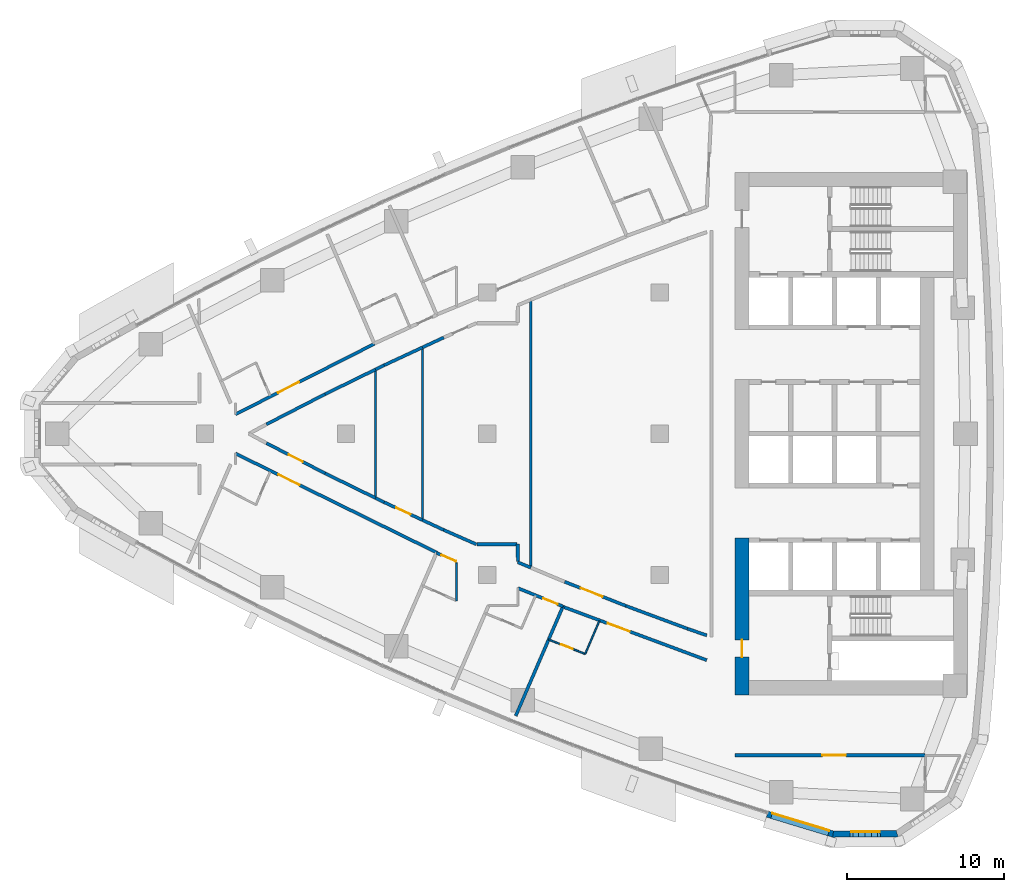
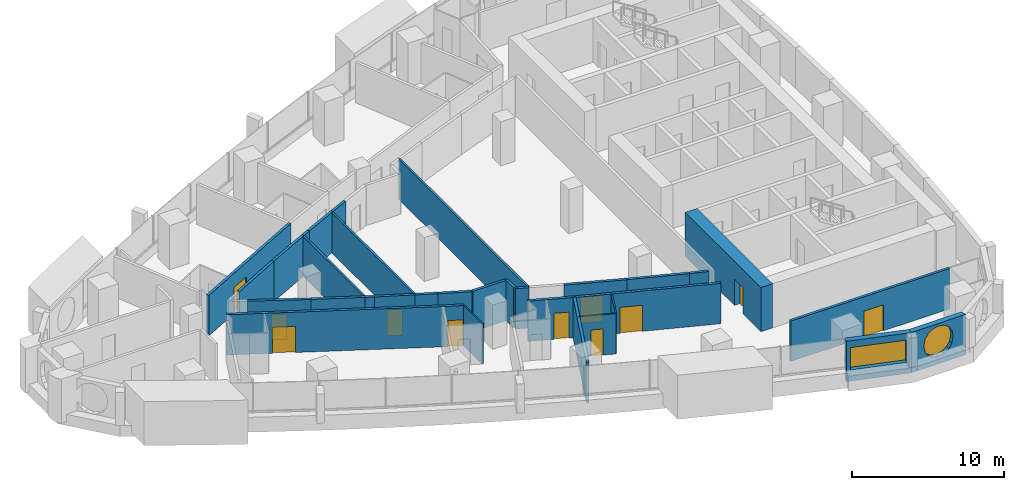
# One storey, part 9 of 16: 33 walls, 11 doors, 2 windows, 13 openings.
"""IFC4 building model written with IfcOpenShell, lengths in metres."""

from ifc_helpers import new_model, si_unit, direction, frame, frame_2d, origin, place, context, subcontext, project, spatial, polyline, rectangle, outline, extrude, material, layer, layer_set, type_object, element, fill, save


model = new_model("IFC4")

# Units and contexts
model_context = context("Model", 3, precision=1e-05, world=origin(), true_north=direction((0.0, 1.0)))
body_context = subcontext(model_context, "Body", "Model", "MODEL_VIEW")
ifc_project = project(units=[si_unit("LENGTHUNIT", "METRE"), si_unit("AREAUNIT", "SQUARE_METRE"), si_unit("VOLUMEUNIT", "CUBIC_METRE"), si_unit("PLANEANGLEUNIT", "RADIAN"), si_unit("MASSUNIT", "GRAM", prefix="KILO")], contexts=[model_context])

# Site, building, storey
site_placement = place(None, origin())
site = spatial("IfcSite", under=ifc_project, at=site_placement, CompositionType="ELEMENT")
building_placement = place(site_placement, origin())
building = spatial("IfcBuilding", under=site, at=building_placement, Name="Ostrand Prow Hotel Tower", CompositionType="ELEMENT")
storey_placement = place(building_placement, frame((0.0, 0.0, 147.949951171875)))
storey = spatial("IfcBuildingStorey", under=building, at=storey_placement, Name="L36", CompositionType="ELEMENT", Elevation=147.949951171875)

# Wall, opening, door
ifc_material_1 = material(Name="Concrete C70/85", Category="concrete")
ifc_layer_1 = layer(ifc_material_1, 0.89990234375)
ifc_layer_set_1 = layer_set([ifc_layer_1], Name="Concrete C70/85")
wall_type_1 = type_object("IfcWallType", Name="Core wall 900 C70/85", PredefinedType="SHEAR", material=ifc_layer_set_1)
wall_1_placement = place(storey_placement, frame((50.25, -16.64990234375, 0.0), z_axis=(0.0, 0.0, 1.0), x_axis=(0.0, 1.0, 0.0)))
wall_1 = element("IfcWall", 1, at=wall_1_placement, inside=storey, type_object=wall_type_1, Name="Core wall CW-W-S", PredefinedType="SHEAR", context=body_context, shape_type="SweptSolid", body=[
    extrude(rectangle(XDim=10.0, YDim=0.89990234375, at=frame_2d((5.0, 0.0))), origin(), (0.0, 0.0, 1.0), 3.550048828125),
])
opening_1_placement = place(wall_1_placement, frame((2.39990234375, 0.0, 0.0)))
opening_1 = element("IfcOpeningElement", 2, at=opening_1_placement, cuts=wall_1, Name="Opening FD1", PredefinedType="OPENING", context=body_context, shape_type="SweptSolid", body=[
    extrude(rectangle(XDim=1.10009765625, YDim=2.10009765625, at=frame_2d((0.550048828125, 1.050048828125))), frame((0.0, 0.4599609375, 0.0), z_axis=(0.0, -1.0, 0.0), x_axis=(1.0, 0.0, 0.0)), (0.0, 0.0, 1.0), 0.919921875),
])
ifc_material_2 = material(Name="Steel fire door", Category="steel")
door_type_1 = type_object("IfcDoorType", Name="Fire door 1100 EI120", OperationType="SINGLE_SWING_RIGHT", PredefinedType="DOOR", material=ifc_material_2)
door_1_placement = place(opening_1_placement, origin())
door_1 = element("IfcDoor", 3, at=door_1_placement, inside=storey, type_object=door_type_1, Name="FIRE DOOR", OperationType="SINGLE_SWING_RIGHT", OverallHeight=2.10009765625, OverallWidth=1.10009765625, PredefinedType="DOOR", context=body_context, shape_type="SweptSolid", body=[
    extrude(rectangle(XDim=1.10009765625, YDim=2.10009765625, at=frame_2d((0.550048828125, 1.050048828125))), frame((0.0, 0.02490234375, 0.0), z_axis=(0.0, -1.0, 0.0), x_axis=(1.0, 0.0, 0.0)), (0.0, 0.0, 1.0), 0.050048828125),
])
fill(opening_1, door_1)

# Wall
ifc_material_3 = material(Name="Plasterboard partition")
ifc_layer_2 = layer(ifc_material_3, 0.10009765625)
ifc_layer_set_2 = layer_set([ifc_layer_2], Name="Plasterboard partition")
wall_type_2 = type_object("IfcWallType", Name="Partition 100 bathroom wall", PredefinedType="PARTITIONING", material=ifc_layer_set_2)
wall_2_placement = place(storey_placement, frame((41.15087890625, -11.946044921875, 0.0), z_axis=(0.0, 0.0, 1.0), x_axis=(-0.39596178423, -0.918266990275, 0.0)))
element("IfcWall", 4, at=wall_2_placement, inside=storey, type_object=wall_type_2, Name="BATHROOM WALL", PredefinedType="PARTITIONING", context=body_context, shape_type="SweptSolid", body=[
    extrude(rectangle(XDim=2.2783203125, YDim=0.10009765625, at=frame_2d((1.13916015625, 0.0))), origin(), (0.0, 0.0, 1.0), 3.25),
])

# Wall, opening, door
wall_3_placement = place(storey_placement, frame((40.24853515625, -14.0380859375, 0.0), z_axis=(0.0, 0.0, 1.0), x_axis=(-0.930555592459, 0.366150637503, 0.0)))
wall_3 = element("IfcWall", 5, at=wall_3_placement, inside=storey, type_object=wall_type_2, Name="BATHROOM WALL", PredefinedType="PARTITIONING", context=body_context, shape_type="SweptSolid", body=[
    extrude(rectangle(XDim=2.5009765625, YDim=0.10009765625, at=frame_2d((1.25048828125, 0.0))), origin(), (0.0, 0.0, 1.0), 3.25),
])
opening_2_placement = place(wall_3_placement, frame((0.85009765625, 0.0, 0.0)))
opening_2 = element("IfcOpeningElement", 6, at=opening_2_placement, cuts=wall_3, Name="Opening D2", PredefinedType="OPENING", context=body_context, shape_type="SweptSolid", body=[
    extrude(rectangle(XDim=0.800048828125, YDim=2.10009765625, at=frame_2d((0.39990234375, 1.050048828125))), frame((0.0, 0.06005859375, 0.0), z_axis=(0.0, -1.0, 0.0), x_axis=(1.0, 0.0, 0.0)), (0.0, 0.0, 1.0), 0.1201171875),
])
ifc_material_4 = material(Name="Timber door leaf", Category="wood")
door_type_2 = type_object("IfcDoorType", Name="Bathroom door 800", OperationType="SINGLE_SWING_LEFT", PredefinedType="DOOR", material=ifc_material_4)
door_2_placement = place(opening_2_placement, origin())
door_2 = element("IfcDoor", 7, at=door_2_placement, inside=storey, type_object=door_type_2, Name="DOOR", OperationType="SINGLE_SWING_LEFT", OverallHeight=2.10009765625, OverallWidth=0.800048828125, PredefinedType="DOOR", context=body_context, shape_type="SweptSolid", body=[
    extrude(rectangle(XDim=0.800048828125, YDim=2.10009765625, at=frame_2d((0.39990234375, 1.050048828125))), frame((0.0, 0.02490234375, 0.0), z_axis=(0.0, -1.0, 0.0), x_axis=(1.0, 0.0, 0.0)), (0.0, 0.0, 1.0), 0.050048828125),
])
fill(opening_2, door_2)

# Walls
wall_4_placement = place(storey_placement, frame((32.044921875, -8.238037109375, 0.0), z_axis=(0.0, 0.0, 1.0), x_axis=(0.0, -1.0, 0.0)))
element("IfcWall", 8, at=wall_4_placement, inside=storey, type_object=wall_type_2, Name="BATHROOM WALL", PredefinedType="PARTITIONING", context=body_context, shape_type="SweptSolid", body=[
    extrude(rectangle(XDim=2.426025390625, YDim=0.10009765625, at=frame_2d((1.212890625, 0.0))), origin(), (0.0, 0.0, 1.0), 3.25),
])
ifc_material_5 = material(Name="Plasterboard partition")
ifc_layer_3 = layer(ifc_material_5, 0.14990234375)
ifc_layer_set_3 = layer_set([ifc_layer_3], Name="Plasterboard partition")
wall_type_3 = type_object("IfcWallType", Name="Partition 150 room partition", PredefinedType="PARTITIONING", material=ifc_layer_set_3)
wall_5_placement = place(storey_placement, frame((26.875, -4.096435546875, 0.0), z_axis=(0.0, 0.0, 1.0), x_axis=(0.0, 1.0, 0.0)))
element("IfcWall", 9, at=wall_5_placement, inside=storey, type_object=wall_type_3, Name="ROOM PARTITION", PredefinedType="PARTITIONING", context=body_context, shape_type="SweptSolid", body=[
    extrude(rectangle(XDim=8.19287109375, YDim=0.14990234375, at=frame_2d((4.096435546875, 0.0))), origin(), (0.0, 0.0, 1.0), 3.25),
])
wall_6_placement = place(storey_placement, frame((29.875, -5.504638671875, 0.0), z_axis=(0.0, 0.0, 1.0), x_axis=(0.0, 1.0, 0.0)))
element("IfcWall", 10, at=wall_6_placement, inside=storey, type_object=wall_type_3, Name="ROOM PARTITION", PredefinedType="PARTITIONING", context=body_context, shape_type="SweptSolid", body=[
    extrude(rectangle(XDim=11.00927734375, YDim=0.14990234375, at=frame_2d((5.504638671875, 0.0))), origin(), (0.0, 0.0, 1.0), 3.25),
])
wall_7_placement = place(storey_placement, frame((36.784423828125, -8.541015625, 0.0), z_axis=(0.0, 0.0, 1.0), x_axis=(0.0, 1.0, 0.0)))
element("IfcWall", 11, at=wall_7_placement, inside=storey, type_object=wall_type_3, Name="ROOM PARTITION", PredefinedType="PARTITIONING", context=body_context, shape_type="SweptSolid", body=[
    extrude(rectangle(XDim=17.08203125, YDim=0.14990234375, at=frame_2d((8.541015625, 0.0))), origin(), (0.0, 0.0, 1.0), 3.25),
])

# Wall, opening, door
ifc_material_6 = material(Name="Plasterboard partition")
ifc_layer_4 = layer(ifc_material_6, 0.199951171875)
ifc_layer_set_4 = layer_set([ifc_layer_4], Name="Plasterboard partition")
wall_type_4 = type_object("IfcWallType", Name="Partition 200 corridor wall", PredefinedType="PARTITIONING", material=ifc_layer_set_4)
wall_8_placement = place(storey_placement, frame((17.949951171875, 1.238037109375, 0.0), z_axis=(0.0, 0.0, 1.0), x_axis=(0.891757990421, 0.452512636863, 0.0)))
wall_8 = element("IfcWall", 12, at=wall_8_placement, inside=storey, type_object=wall_type_4, Name="CORRIDOR WALL", PredefinedType="PARTITIONING", context=body_context, shape_type="SweptSolid", body=[
    extrude(rectangle(XDim=9.93701171875, YDim=0.199951171875, at=frame_2d((4.968505859375, 0.0))), origin(), (0.0, 0.0, 1.0), 3.25),
])
opening_3_placement = place(wall_8_placement, frame((3.050048828125, 0.0, 0.0)))
opening_3 = element("IfcOpeningElement", 13, at=opening_3_placement, cuts=wall_8, Name="Opening D15", PredefinedType="OPENING", context=body_context, shape_type="SweptSolid", body=[
    extrude(rectangle(XDim=1.5, YDim=2.10009765625, at=frame_2d((0.75, 1.050048828125))), frame((0.0, 0.10986328125, 0.0), z_axis=(0.0, -1.0, 0.0), x_axis=(1.0, 0.0, 0.0)), (0.0, 0.0, 1.0), 0.219970703125),
])
ifc_material_7 = material(Name="Timber door leaf", Category="wood")
door_type_3 = type_object("IfcDoorType", Name="Double door 1500", OperationType="DOUBLE_DOOR_SINGLE_SWING", PredefinedType="DOOR", material=ifc_material_7)
door_3_placement = place(opening_3_placement, origin())
door_3 = element("IfcDoor", 14, at=door_3_placement, inside=storey, type_object=door_type_3, Name="DOOR", OperationType="DOUBLE_DOOR_SINGLE_SWING", OverallHeight=2.10009765625, OverallWidth=1.5, PredefinedType="DOOR", context=body_context, shape_type="SweptSolid", body=[
    extrude(rectangle(XDim=1.5, YDim=2.10009765625, at=frame_2d((0.75, 1.050048828125))), frame((0.0, 0.02490234375, 0.0), z_axis=(0.0, -1.0, 0.0), x_axis=(1.0, 0.0, 0.0)), (0.0, 0.0, 1.0), 0.050048828125),
])
fill(opening_3, door_3)

wall_9_placement = place(storey_placement, frame((17.949951171875, -1.2607421875, 0.0), z_axis=(0.0, 0.0, 1.0), x_axis=(0.897223022069, -0.441577681353, 0.0)))
wall_9 = element("IfcWall", 15, at=wall_9_placement, inside=storey, type_object=wall_type_4, Name="CORRIDOR WALL", PredefinedType="PARTITIONING", context=body_context, shape_type="SweptSolid", body=[
    extrude(rectangle(XDim=14.30029296875, YDim=0.199951171875, at=frame_2d((7.150146484375, 0.0))), origin(), (0.0, 0.0, 1.0), 3.25),
])
opening_4_placement = place(wall_9_placement, frame((3.050048828125, 0.0, 0.0)))
opening_4 = element("IfcOpeningElement", 16, at=opening_4_placement, cuts=wall_9, Name="Opening D15", PredefinedType="OPENING", context=body_context, shape_type="SweptSolid", body=[
    extrude(rectangle(XDim=1.5, YDim=2.10009765625, at=frame_2d((0.75, 1.050048828125))), frame((0.0, 0.10986328125, 0.0), z_axis=(0.0, -1.0, 0.0), x_axis=(1.0, 0.0, 0.0)), (0.0, 0.0, 1.0), 0.219970703125),
])
door_4_placement = place(opening_4_placement, origin())
door_4 = element("IfcDoor", 17, at=door_4_placement, inside=storey, type_object=door_type_3, Name="DOOR", OperationType="DOUBLE_DOOR_SINGLE_SWING", OverallHeight=2.10009765625, OverallWidth=1.5, PredefinedType="DOOR", context=body_context, shape_type="SweptSolid", body=[
    extrude(rectangle(XDim=1.5, YDim=2.10009765625, at=frame_2d((0.75, 1.050048828125))), frame((0.0, 0.02490234375, 0.0), z_axis=(0.0, -1.0, 0.0), x_axis=(1.0, 0.0, 0.0)), (0.0, 0.0, 1.0), 0.050048828125),
])
fill(opening_4, door_4)

wall_10_placement = place(storey_placement, frame((30.7724609375, -7.593994140625, 0.0), z_axis=(0.0, 0.0, 1.0), x_axis=(0.915155082005, -0.403101942293, 0.0)))
wall_10 = element("IfcWall", 18, at=wall_10_placement, inside=storey, type_object=wall_type_4, Name="CORRIDOR WALL", PredefinedType="PARTITIONING", context=body_context, shape_type="SweptSolid", body=[
    extrude(rectangle(XDim=1.39599609375, YDim=0.199951171875, at=frame_2d((0.697998046875, 0.0))), origin(), (0.0, 0.0, 1.0), 3.25),
])
opening_5_placement = place(wall_10_placement, frame((0.345947265625, 0.0, 0.0)))
opening_5 = element("IfcOpeningElement", 19, at=opening_5_placement, cuts=wall_10, Name="Opening D1", PredefinedType="OPENING", context=body_context, shape_type="SweptSolid", body=[
    extrude(rectangle(XDim=1.0, YDim=2.10009765625, at=frame_2d((0.5, 1.050048828125))), frame((0.0, 0.10986328125, 0.0), z_axis=(0.0, -1.0, 0.0), x_axis=(1.0, 0.0, 0.0)), (0.0, 0.0, 1.0), 0.219970703125),
])
ifc_material_8 = material(Name="Timber door leaf", Category="wood")
door_type_4 = type_object("IfcDoorType", Name="Guest room door 1000", OperationType="SINGLE_SWING_LEFT", PredefinedType="DOOR", material=ifc_material_8)
door_5_placement = place(opening_5_placement, origin())
door_5 = element("IfcDoor", 20, at=door_5_placement, inside=storey, type_object=door_type_4, Name="DOOR", OperationType="SINGLE_SWING_LEFT", OverallHeight=2.10009765625, OverallWidth=1.0, PredefinedType="DOOR", context=body_context, shape_type="SweptSolid", body=[
    extrude(rectangle(XDim=1.0, YDim=2.10009765625, at=frame_2d((0.5, 1.050048828125))), frame((0.0, 0.02490234375, 0.0), z_axis=(0.0, -1.0, 0.0), x_axis=(1.0, 0.0, 0.0)), (0.0, 0.0, 1.0), 0.050048828125),
])
fill(opening_5, door_5)

wall_11_placement = place(storey_placement, frame((35.949951171875, -9.840087890625, 0.0), z_axis=(0.0, 0.0, 1.0), x_axis=(0.926663171188, -0.375892760191, 0.0)))
wall_11 = element("IfcWall", 21, at=wall_11_placement, inside=storey, type_object=wall_type_4, Name="CORRIDOR WALL", PredefinedType="PARTITIONING", context=body_context, shape_type="SweptSolid", body=[
    extrude(rectangle(XDim=3.1103515625, YDim=0.199951171875, at=frame_2d((1.55517578125, 0.0))), origin(), (0.0, 0.0, 1.0), 3.25),
])
opening_6_placement = place(wall_11_placement, frame((1.75, 0.0, 0.0)))
opening_6 = element("IfcOpeningElement", 22, at=opening_6_placement, cuts=wall_11, Name="Opening D1", PredefinedType="OPENING", context=body_context, shape_type="SweptSolid", body=[
    extrude(rectangle(XDim=1.0, YDim=2.10009765625, at=frame_2d((0.5, 1.050048828125))), frame((0.0, 0.10986328125, 0.0), z_axis=(0.0, -1.0, 0.0), x_axis=(1.0, 0.0, 0.0)), (0.0, 0.0, 1.0), 0.219970703125),
])
door_6_placement = place(opening_6_placement, origin())
door_6 = element("IfcDoor", 23, at=door_6_placement, inside=storey, type_object=door_type_4, Name="DOOR", OperationType="SINGLE_SWING_LEFT", OverallHeight=2.10009765625, OverallWidth=1.0, PredefinedType="DOOR", context=body_context, shape_type="SweptSolid", body=[
    extrude(rectangle(XDim=1.0, YDim=2.10009765625, at=frame_2d((0.5, 1.050048828125))), frame((0.0, 0.02490234375, 0.0), z_axis=(0.0, -1.0, 0.0), x_axis=(1.0, 0.0, 0.0)), (0.0, 0.0, 1.0), 0.050048828125),
])
fill(opening_6, door_6)

wall_12_placement = place(storey_placement, frame((23.65869140625, -2.52197265625, 0.0), z_axis=(0.0, 0.0, 1.0), x_axis=(-0.889140337289, 0.457634636589, 0.0)))
wall_12 = element("IfcWall", 24, at=wall_12_placement, inside=storey, type_object=wall_type_4, Name="CORRIDOR WALL", PredefinedType="PARTITIONING", context=body_context, shape_type="SweptSolid", body=[
    extrude(rectangle(XDim=4.1953125, YDim=0.199951171875, at=frame_2d((2.09765625, 0.0))), origin(), (0.0, 0.0, 1.0), 3.25),
])
opening_7_placement = place(wall_12_placement, frame((1.59765625, 0.0, 0.0)))
opening_7 = element("IfcOpeningElement", 25, at=opening_7_placement, cuts=wall_12, Name="Opening D1R", PredefinedType="OPENING", context=body_context, shape_type="SweptSolid", body=[
    extrude(rectangle(XDim=1.0, YDim=2.10009765625, at=frame_2d((0.5, 1.050048828125))), frame((0.0, 0.10986328125, 0.0), z_axis=(0.0, -1.0, 0.0), x_axis=(1.0, 0.0, 0.0)), (0.0, 0.0, 1.0), 0.219970703125),
])
ifc_material_9 = material(Name="Timber door leaf", Category="wood")
door_type_5 = type_object("IfcDoorType", Name="Guest room door 1000 right", OperationType="SINGLE_SWING_RIGHT", PredefinedType="DOOR", material=ifc_material_9)
door_7_placement = place(opening_7_placement, origin())
door_7 = element("IfcDoor", 26, at=door_7_placement, inside=storey, type_object=door_type_5, Name="DOOR", OperationType="SINGLE_SWING_RIGHT", OverallHeight=2.10009765625, OverallWidth=1.0, PredefinedType="DOOR", context=body_context, shape_type="SweptSolid", body=[
    extrude(rectangle(XDim=1.0, YDim=2.10009765625, at=frame_2d((0.5, 1.050048828125))), frame((0.0, 0.02490234375, 0.0), z_axis=(0.0, -1.0, 0.0), x_axis=(1.0, 0.0, 0.0)), (0.0, 0.0, 1.0), 0.050048828125),
])
fill(opening_7, door_7)

# Walls
wall_13_placement = place(storey_placement, frame((19.928466796875, 0.60205078125, 0.0), z_axis=(0.0, 0.0, 1.0), x_axis=(0.889140337289, 0.457634636589, 0.0)))
element("IfcWall", 27, at=wall_13_placement, inside=storey, type_object=wall_type_4, Name="CORRIDOR WALL", PredefinedType="PARTITIONING", context=body_context, shape_type="SweptSolid", body=[
    extrude(rectangle(XDim=4.1953125, YDim=0.199951171875, at=frame_2d((2.09765625, 0.0))), origin(), (0.0, 0.0, 1.0), 3.25),
])
for number, where, z_axis, x_axis, name in (
    (28, (23.65869140625, 2.52197265625, 0.0), (0.0, 0.0, 1.0), (0.898158871209, 0.439671061214, 0.0), "CORRIDOR WALL"),
    (29, (26.875, -4.096435546875, 0.0), (0.0, 0.0, 1.0), (-0.898158871209, 0.439671061214, 0.0), "CORRIDOR WALL"),
):
    element("IfcWall", number, at=place(storey_placement, frame(where, z_axis=z_axis, x_axis=x_axis)), inside=storey, type_object=wall_type_4, Name=name, PredefinedType="PARTITIONING", context=body_context, shape_type="SweptSolid", body=[
        extrude(rectangle(XDim=3.5810546875, YDim=0.199951171875, at=frame_2d((1.79052734375, 0.0))), origin(), (0.0, 0.0, 1.0), 3.25),
    ])

# Wall, opening, door
wall_14_placement = place(storey_placement, frame((29.875, -5.504638671875, 0.0), z_axis=(0.0, 0.0, 1.0), x_axis=(-0.906831253463, 0.421493864419, 0.0)))
wall_14 = element("IfcWall", 30, at=wall_14_placement, inside=storey, type_object=wall_type_4, Name="CORRIDOR WALL", PredefinedType="PARTITIONING", context=body_context, shape_type="SweptSolid", body=[
    extrude(rectangle(XDim=2.69970703125, YDim=0.199951171875, at=frame_2d((1.349853515625, 0.0))), origin(), (0.0, 0.0, 1.0), 3.25),
])
opening_8_placement = place(wall_14_placement, frame((0.849853515625, 0.0, 0.0)))
opening_8 = element("IfcOpeningElement", 31, at=opening_8_placement, cuts=wall_14, Name="Opening D1", PredefinedType="OPENING", context=body_context, shape_type="SweptSolid", body=[
    extrude(rectangle(XDim=1.0, YDim=2.10009765625, at=frame_2d((0.5, 1.050048828125))), frame((0.0, 0.10986328125, 0.0), z_axis=(0.0, -1.0, 0.0), x_axis=(1.0, 0.0, 0.0)), (0.0, 0.0, 1.0), 0.219970703125),
])
door_8_placement = place(opening_8_placement, origin())
door_8 = element("IfcDoor", 32, at=door_8_placement, inside=storey, type_object=door_type_4, Name="DOOR", OperationType="SINGLE_SWING_LEFT", OverallHeight=2.10009765625, OverallWidth=1.0, PredefinedType="DOOR", context=body_context, shape_type="SweptSolid", body=[
    extrude(rectangle(XDim=1.0, YDim=2.10009765625, at=frame_2d((0.5, 1.050048828125))), frame((0.0, 0.02490234375, 0.0), z_axis=(0.0, -1.0, 0.0), x_axis=(1.0, 0.0, 0.0)), (0.0, 0.0, 1.0), 0.050048828125),
])
fill(opening_8, door_8)

# Walls
for number, where, z_axis, x_axis, name in (
    (33, (27.4267578125, -4.36669921875, 0.0), (0.0, 0.0, 1.0), (-0.898053097245, 0.439887070199, 0.0), "CORRIDOR WALL"),
    (34, (26.875, 4.096435546875, 0.0), (0.0, 0.0, 1.0), (0.898053097245, 0.439887070199, 0.0), "CORRIDOR WALL"),
):
    element("IfcWall", number, at=place(storey_placement, frame(where, z_axis=z_axis, x_axis=x_axis)), inside=storey, type_object=wall_type_4, Name=name, PredefinedType="PARTITIONING", context=body_context, shape_type="SweptSolid", body=[
        extrude(rectangle(XDim=0.614501953125, YDim=0.199951171875, at=frame_2d((0.30712890625, 0.0))), origin(), (0.0, 0.0, 1.0), 3.25),
    ])
wall_15_placement = place(storey_placement, frame((27.4267578125, 4.36669921875, 0.0), z_axis=(0.0, 0.0, 1.0), x_axis=(0.906831253463, 0.421493864419, 0.0)))
element("IfcWall", 35, at=wall_15_placement, inside=storey, type_object=wall_type_4, Name="CORRIDOR WALL", PredefinedType="PARTITIONING", context=body_context, shape_type="SweptSolid", body=[
    extrude(rectangle(XDim=2.69970703125, YDim=0.199951171875, at=frame_2d((1.349853515625, 0.0))), origin(), (0.0, 0.0, 1.0), 3.25),
])
wall_16_placement = place(storey_placement, frame((36.784423828125, -8.541015625, 0.0), z_axis=(0.0, 0.0, 1.0), x_axis=(-0.922997009646, 0.384807120756, 0.0)))
element("IfcWall", 36, at=wall_16_placement, inside=storey, type_object=wall_type_4, Name="CORRIDOR WALL", PredefinedType="PARTITIONING", context=body_context, shape_type="SweptSolid", body=[
    extrude(rectangle(XDim=0.904052734375, YDim=0.199951171875, at=frame_2d((0.4521484375, 0.0))), origin(), (0.0, 0.0, 1.0), 3.25),
])
wall_17_placement = place(storey_placement, frame((33.307861328125, -7.050048828125, 0.0), z_axis=(0.0, 0.0, 1.0), x_axis=(-0.915102334452, 0.403221672881, 0.0)))
element("IfcWall", 37, at=wall_17_placement, inside=storey, type_object=wall_type_4, Name="CORRIDOR WALL", PredefinedType="PARTITIONING", context=body_context, shape_type="SweptSolid", body=[
    extrude(rectangle(XDim=2.269287109375, YDim=0.199951171875, at=frame_2d((1.134765625, 0.0))), origin(), (0.0, 0.0, 1.0), 3.25),
])
for number, where, z_axis, x_axis, name in (
    (38, (31.231201171875, -6.135009765625, 0.0), (0.0, 0.0, 1.0), (-0.90682850945, 0.421499768029, 0.0), "CORRIDOR WALL"),
    (39, (29.875, 5.504638671875, 0.0), (0.0, 0.0, 1.0), (0.90682850945, 0.421499768029, 0.0), "CORRIDOR WALL"),
):
    element("IfcWall", number, at=place(storey_placement, frame(where, z_axis=z_axis, x_axis=x_axis)), inside=storey, type_object=wall_type_4, Name=name, PredefinedType="PARTITIONING", context=body_context, shape_type="SweptSolid", body=[
        extrude(rectangle(XDim=1.49560546875, YDim=0.199951171875, at=frame_2d((0.747802734375, 0.0))), origin(), (0.0, 0.0, 1.0), 3.25),
    ])

# Wall, opening, door
wall_18_placement = place(storey_placement, frame((42.84716796875, -10.976806640625, 0.0), z_axis=(0.0, 0.0, 1.0), x_axis=(-0.930576677263, 0.36609704688, 0.0)))
wall_18 = element("IfcWall", 40, at=wall_18_placement, inside=storey, type_object=wall_type_4, Name="CORRIDOR WALL", PredefinedType="PARTITIONING", context=body_context, shape_type="SweptSolid", body=[
    extrude(rectangle(XDim=4.1953125, YDim=0.199951171875, at=frame_2d((2.09765625, 0.0))), origin(), (0.0, 0.0, 1.0), 3.25),
])
opening_9_placement = place(wall_18_placement, frame((1.59765625, 0.0, 0.0)))
opening_9 = element("IfcOpeningElement", 41, at=opening_9_placement, cuts=wall_18, Name="Opening D15", PredefinedType="OPENING", context=body_context, shape_type="SweptSolid", body=[
    extrude(rectangle(XDim=1.5, YDim=2.10009765625, at=frame_2d((0.75, 1.050048828125))), frame((0.0, 0.10986328125, 0.0), z_axis=(0.0, -1.0, 0.0), x_axis=(1.0, 0.0, 0.0)), (0.0, 0.0, 1.0), 0.219970703125),
])
door_9_placement = place(opening_9_placement, origin())
door_9 = element("IfcDoor", 42, at=door_9_placement, inside=storey, type_object=door_type_3, Name="DOOR", OperationType="DOUBLE_DOOR_SINGLE_SWING", OverallHeight=2.10009765625, OverallWidth=1.5, PredefinedType="DOOR", context=body_context, shape_type="SweptSolid", body=[
    extrude(rectangle(XDim=1.5, YDim=2.10009765625, at=frame_2d((0.75, 1.050048828125))), frame((0.0, 0.02490234375, 0.0), z_axis=(0.0, -1.0, 0.0), x_axis=(1.0, 0.0, 0.0)), (0.0, 0.0, 1.0), 0.050048828125),
])
fill(opening_9, door_9)

# Wall
wall_19_placement = place(storey_placement, frame((46.78125, -12.43408203125, 0.0), z_axis=(0.0, 0.0, 1.0), x_axis=(-0.937732614305, 0.347357948044, 0.0)))
element("IfcWall", 43, at=wall_19_placement, inside=storey, type_object=wall_type_4, Name="CORRIDOR WALL", PredefinedType="PARTITIONING", context=body_context, shape_type="SweptSolid", body=[
    extrude(rectangle(XDim=4.1953125, YDim=0.199951171875, at=frame_2d((2.09765625, 0.0))), origin(), (0.0, 0.0, 1.0), 3.25),
])

# Wall, opening, door
wall_20_placement = place(storey_placement, frame((49.800048828125, -20.5048828125, 0.0), z_axis=(0.0, 0.0, 1.0), x_axis=(1.0, 0.0, 0.0)))
wall_20 = element("IfcWall", 44, at=wall_20_placement, inside=storey, type_object=wall_type_4, Name="CORRIDOR WALL", PredefinedType="PARTITIONING", context=body_context, shape_type="SweptSolid", body=[
    extrude(rectangle(XDim=12.132568359375, YDim=0.199951171875, at=frame_2d((6.06640625, 0.0))), origin(), (0.0, 0.0, 1.0), 3.25),
])
opening_10_placement = place(wall_20_placement, frame((5.56640625, 0.0, 0.0)))
opening_10 = element("IfcOpeningElement", 45, at=opening_10_placement, cuts=wall_20, Name="Opening D15", PredefinedType="OPENING", context=body_context, shape_type="SweptSolid", body=[
    extrude(rectangle(XDim=1.5, YDim=2.10009765625, at=frame_2d((0.75, 1.050048828125))), frame((0.0, 0.10986328125, 0.0), z_axis=(0.0, -1.0, 0.0), x_axis=(1.0, 0.0, 0.0)), (0.0, 0.0, 1.0), 0.219970703125),
])
door_10_placement = place(opening_10_placement, origin())
door_10 = element("IfcDoor", 46, at=door_10_placement, inside=storey, type_object=door_type_3, Name="DOOR", OperationType="DOUBLE_DOOR_SINGLE_SWING", OverallHeight=2.10009765625, OverallWidth=1.5, PredefinedType="DOOR", context=body_context, shape_type="SweptSolid", body=[
    extrude(rectangle(XDim=1.5, YDim=2.10009765625, at=frame_2d((0.75, 1.050048828125))), frame((0.0, 0.02490234375, 0.0), z_axis=(0.0, -1.0, 0.0), x_axis=(1.0, 0.0, 0.0)), (0.0, 0.0, 1.0), 0.050048828125),
])
fill(opening_10, door_10)

wall_21_placement = place(storey_placement, frame((38.824462890625, -11.027587890625, 0.0), z_axis=(0.0, 0.0, 1.0), x_axis=(0.937322662166, -0.348462662262, 0.0)))
wall_21 = element("IfcWall", 47, at=wall_21_placement, inside=storey, type_object=wall_type_4, Name="CORRIDOR WALL", PredefinedType="PARTITIONING", context=body_context, shape_type="SweptSolid", body=[
    extrude(rectangle(XDim=9.7890625, YDim=0.199951171875, at=frame_2d((4.89453125, 0.0))), origin(), (0.0, 0.0, 1.0), 3.25),
])
opening_11_placement = place(wall_21_placement, frame((3.050048828125, 0.0, 0.0)))
opening_11 = element("IfcOpeningElement", 48, at=opening_11_placement, cuts=wall_21, Name="Opening D15", PredefinedType="OPENING", context=body_context, shape_type="SweptSolid", body=[
    extrude(rectangle(XDim=1.5, YDim=2.10009765625, at=frame_2d((0.75, 1.050048828125))), frame((0.0, 0.10986328125, 0.0), z_axis=(0.0, -1.0, 0.0), x_axis=(1.0, 0.0, 0.0)), (0.0, 0.0, 1.0), 0.219970703125),
])
door_11_placement = place(opening_11_placement, origin())
door_11 = element("IfcDoor", 49, at=door_11_placement, inside=storey, type_object=door_type_3, Name="DOOR", OperationType="DOUBLE_DOOR_SINGLE_SWING", OverallHeight=2.10009765625, OverallWidth=1.5, PredefinedType="DOOR", context=body_context, shape_type="SweptSolid", body=[
    extrude(rectangle(XDim=1.5, YDim=2.10009765625, at=frame_2d((0.75, 1.050048828125))), frame((0.0, 0.02490234375, 0.0), z_axis=(0.0, -1.0, 0.0), x_axis=(1.0, 0.0, 0.0)), (0.0, 0.0, 1.0), 0.050048828125),
])
fill(opening_11, door_11)

# Walls
wall_22_placement = place(storey_placement, frame((48.0, -12.85791015625, 0.0), z_axis=(0.0, 0.0, 1.0), x_axis=(-0.944517215109, 0.328461916152, 0.0)))
element("IfcWall", 50, at=wall_22_placement, inside=storey, type_object=wall_type_4, Name="CORRIDOR WALL", PredefinedType="PARTITIONING", context=body_context, shape_type="SweptSolid", body=[
    extrude(rectangle(XDim=1.290283203125, YDim=0.199951171875, at=frame_2d((0.64501953125, 0.0))), origin(), (0.0, 0.0, 1.0), 3.25),
])
wall_23_placement = place(storey_placement, frame((35.954833984375, -8.153564453125, 0.0), z_axis=(0.0, 0.0, 1.0), x_axis=(-0.002643744892, 0.9999965053, 0.0)))
element("IfcWall", 51, at=wall_23_placement, inside=storey, type_object=wall_type_4, Name="CORRIDOR WALL", PredefinedType="PARTITIONING", context=body_context, shape_type="SweptSolid", body=[
    extrude(rectangle(XDim=1.108154296875, YDim=0.199951171875, at=frame_2d((0.55419921875, 0.0))), origin(), (0.0, 0.0, 1.0), 3.25),
])
wall_24_placement = place(storey_placement, frame((35.911865234375, -7.04541015625, 0.0), z_axis=(0.0, 0.0, 1.0), x_axis=(-0.999999981873, 0.000190403652, 0.0)))
element("IfcWall", 52, at=wall_24_placement, inside=storey, type_object=wall_type_4, Name="CORRIDOR WALL", PredefinedType="PARTITIONING", context=body_context, shape_type="SweptSolid", body=[
    extrude(rectangle(XDim=2.564453125, YDim=0.199951171875, at=frame_2d((1.2822265625, 0.0))), origin(), (0.0, 0.0, 1.0), 3.25),
])
ifc_material_10 = material(Name="Plasterboard partition")
ifc_layer_5 = layer(ifc_material_10, 0.199951171875)
ifc_layer_set_5 = layer_set([ifc_layer_5], Name="Plasterboard partition")
wall_type_5 = type_object("IfcWallType", Name="Partition 200 key partition", PredefinedType="PARTITIONING", material=ifc_layer_set_5)
wall_25_placement = place(storey_placement, frame((35.8212890625, -17.991455078125, 0.0), z_axis=(0.0, 0.0, 1.0), x_axis=(0.395987603644, 0.918255856371, 0.0)))
element("IfcWall", 53, at=wall_25_placement, inside=storey, type_object=wall_type_5, Name="KEY PARTITION", PredefinedType="PARTITIONING", context=body_context, shape_type="SweptSolid", body=[
    extrude(rectangle(XDim=7.603759765625, YDim=0.199951171875, at=frame_2d((3.8017578125, 0.0))), origin(), (0.0, 0.0, 1.0), 3.25),
])

# Wall, opening, window
ifc_material_11 = material(Name="Precast concrete C40/50", Category="concrete")
ifc_layer_6 = layer(ifc_material_11, 0.39990234375)
ifc_layer_set_6 = layer_set([ifc_layer_6], Name="Precast concrete C40/50")
wall_type_6 = type_object("IfcWallType", Name="Stone-faced precast wall 400 mm", PredefinedType="NOTDEFINED", material=ifc_layer_set_6)
wall_26_placement = place(storey_placement, frame((51.85888671875, -24.257080078125, 0.0), z_axis=(0.0, 0.0, 1.0), x_axis=(0.956964488344, -0.290205044837, 0.0)))
wall_26 = element("IfcWall", 54, at=wall_26_placement, inside=storey, type_object=wall_type_6, Name="Stone-faced wall back 1", PredefinedType="NOTDEFINED", context=body_context, shape_type="SweptSolid", body=[
    extrude(outline(polyline([(0.0, -0.199951171875), (4.41845703125, -0.199951171875), (4.357421875, 0.199951171875), (0.0, 0.199951171875), (0.0, -0.199951171875)])), origin(), (0.0, 0.0, 1.0), 3.25),
])
opening_12_placement = place(wall_26_placement, frame((0.2939453125, 0.0, 0.89990234375)))
opening_12 = element("IfcOpeningElement", 55, at=opening_12_placement, cuts=wall_26, Name="Opening WS3-38", PredefinedType="OPENING", context=body_context, shape_type="SweptSolid", body=[
    extrude(rectangle(XDim=3.800048828125, YDim=1.800048828125, at=frame_2d((1.89990234375, 0.89990234375))), frame((0.0, 0.2099609375, 0.0), z_axis=(0.0, -1.0, 0.0), x_axis=(1.0, 0.0, 0.0)), (0.0, 0.0, 1.0), 0.419921875),
])
ifc_material_12 = material(Name="Insulated glass in bronze frame", Category="glass")
window_type_1 = type_object("IfcWindowType", Name="Strip window 3800x1800", PartitioningType="SINGLE_PANEL", PredefinedType="WINDOW", material=ifc_material_12)
window_1_placement = place(opening_12_placement, origin())
window_1 = element("IfcWindow", 56, at=window_1_placement, inside=storey, type_object=window_type_1, Name="Window back 1.1", OverallHeight=1.800048828125, OverallWidth=3.800048828125, PartitioningType="SINGLE_PANEL", PredefinedType="WINDOW", context=body_context, shape_type="SweptSolid", body=[
    extrude(rectangle(XDim=3.800048828125, YDim=1.800048828125, at=frame_2d((1.89990234375, 0.89990234375))), frame((0.0, 0.169921875, 0.0), z_axis=(0.0, -1.0, 0.0), x_axis=(1.0, 0.0, 0.0)), (0.0, 0.0, 1.0), 0.06005859375),
])
fill(opening_12, window_1)

wall_27_placement = place(storey_placement, frame((56.05810546875, -25.530517578125, 0.0), z_axis=(0.0, 0.0, 1.0), x_axis=(0.99996933771, 0.007830941131, 0.0)))
wall_27 = element("IfcWall", 57, at=wall_27_placement, inside=storey, type_object=wall_type_6, Name="Stone-faced wall back 2", PredefinedType="NOTDEFINED", context=body_context, shape_type="SweptSolid", body=[
    extrude(outline(polyline([(-0.030517578125, -0.199951171875), (4.14453125, -0.199951171875), (4.02392578125, 0.199951171875), (0.030517578125, 0.199951171875), (-0.030517578125, -0.199951171875)])), origin(), (0.0, 0.0, 1.0), 3.25),
])
opening_13_placement = place(wall_27_placement, frame((0.94189453125, 0.0, 0.60009765625)))
opening_13 = element("IfcOpeningElement", 58, at=opening_13_placement, cuts=wall_27, Name="Opening WP1", PredefinedType="OPENING", context=body_context, shape_type="SweptSolid", body=[
    extrude(outline(polyline([(0.0, 1.35009765625), (0.083740234375, 1.77099609375), (0.322265625, 2.127685546875), (0.678955078125, 2.3662109375), (1.10009765625, 2.449951171875), (1.52099609375, 2.3662109375), (1.877685546875, 2.127685546875), (2.1162109375, 1.77099609375), (2.199951171875, 1.35009765625), (2.199951171875, 1.10009765625), (2.1162109375, 0.678955078125), (1.877685546875, 0.322265625), (1.52099609375, 0.083740234375), (1.10009765625, 0.0), (0.678955078125, 0.083740234375), (0.322265625, 0.322265625), (0.083740234375, 0.678955078125), (0.0, 1.099853515625), (0.0, 1.35009765625)])), frame((0.0, 0.2099609375, 0.0), z_axis=(0.0, -1.0, 0.0), x_axis=(1.0, 0.0, 0.0)), (0.0, 0.0, 1.0), 0.419921875),
])
ifc_material_13 = material(Name="Insulated glass in bronze frame", Category="glass")
window_type_2 = type_object("IfcWindowType", Name="Round-ended prow window 2200x2450", PartitioningType="SINGLE_PANEL", PredefinedType="WINDOW", material=ifc_material_13)
window_2_placement = place(opening_13_placement, origin())
window_2 = element("IfcWindow", 59, at=window_2_placement, inside=storey, type_object=window_type_2, Name="Window back 2.1", OverallHeight=2.449951171875, OverallWidth=2.199951171875, PartitioningType="SINGLE_PANEL", PredefinedType="WINDOW", context=body_context, shape_type="SweptSolid", body=[
    extrude(outline(polyline([(0.0, 1.35009765625), (0.083740234375, 1.77099609375), (0.322265625, 2.127685546875), (0.678955078125, 2.3662109375), (1.10009765625, 2.449951171875), (1.52099609375, 2.3662109375), (1.877685546875, 2.127685546875), (2.1162109375, 1.77099609375), (2.199951171875, 1.35009765625), (2.199951171875, 1.10009765625), (2.1162109375, 0.678955078125), (1.877685546875, 0.322265625), (1.52099609375, 0.083740234375), (1.10009765625, 0.0), (0.678955078125, 0.083740234375), (0.322265625, 0.322265625), (0.083740234375, 0.678955078125), (0.0, 1.099853515625), (0.0, 1.35009765625)])), frame((0.0, 0.169921875, 0.0), z_axis=(0.0, -1.0, 0.0), x_axis=(1.0, 0.0, 0.0)), (0.0, 0.0, 1.0), 0.06005859375),
])
fill(opening_13, window_2)

save(model, "model.ifc")
